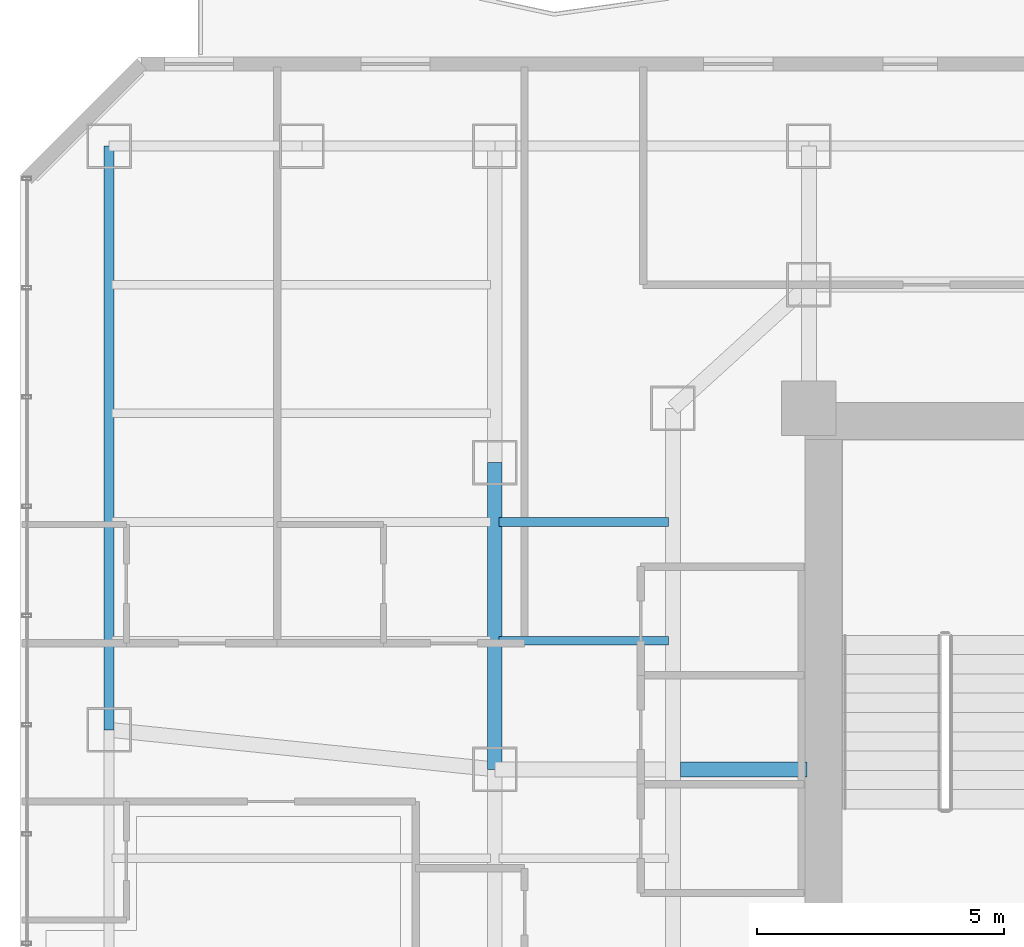
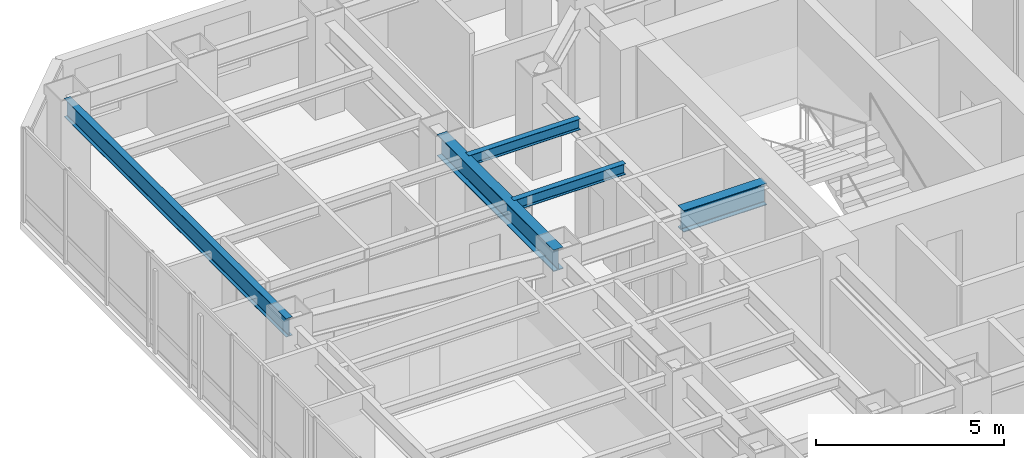
# One storey, part 22 of 36: 5 beams.
"""IFC4 building model written with IfcOpenShell, lengths in metres."""

from ifc_helpers import new_model, si_unit, direction, frame, origin, origin_2d, place, context, subcontext, project, spatial, i_section, extrude, material, material_profile, profile_set, type_object, element, save


model = new_model("IFC4")

# Units and contexts
model_context = context("Model", 3, precision=1e-05, world=origin(), true_north=direction((0.0, 1.0)))
body_context = subcontext(model_context, "Body", "Model", "MODEL_VIEW")
ifc_project = project(units=[si_unit("LENGTHUNIT", "METRE"), si_unit("AREAUNIT", "SQUARE_METRE"), si_unit("VOLUMEUNIT", "CUBIC_METRE"), si_unit("PLANEANGLEUNIT", "RADIAN"), si_unit("MASSUNIT", "GRAM", prefix="KILO")], contexts=[model_context])

# Site, building, storey
site_placement = place(None, origin())
site = spatial("IfcSite", under=ifc_project, at=site_placement, CompositionType="ELEMENT")
building_placement = place(site_placement, origin())
building = spatial("IfcBuilding", under=site, at=building_placement, Name="Hatsunagi Terrace Concourse", CompositionType="ELEMENT")
storey_placement = place(building_placement, frame((0.0, 0.0, 88.0)))
storey = spatial("IfcBuildingStorey", under=building, at=storey_placement, Name="L23", CompositionType="ELEMENT", Elevation=88.0)

# Beams
ifc_material_1 = material(Name="Steel SN490B", Category="steel")
ifc_material_profile_1 = material_profile(ifc_material_1, i_section(OverallWidth=0.300048828125, OverallDepth=0.699951171875, WebThickness=0.012939453125, FlangeThickness=0.02392578125, FilletRadius=0.02197265625, at=origin_2d()), Name="H-700x300x13x24")
ifc_profile_set_1 = profile_set([ifc_material_profile_1], Name="Steel SN490B")
beam_type_1 = type_object("IfcBeamType", Name="HotelFloorGirder_H_700x300", PredefinedType="BEAM", material=ifc_profile_set_1)
beam_1_placement = place(storey_placement, frame((19.199951171875, 36.0, 2.699951171875), z_axis=(0.0, 1.0, 0.0), x_axis=(-1.0, 0.0, 0.0)))
element("IfcBeam", 1, at=beam_1_placement, inside=storey, type_object=beam_type_1, Name="Beam G-04 BM-L23-NS-19-36", PredefinedType="BEAM", context=body_context, shape_type="SweptSolid", body=[
    extrude(i_section(OverallWidth=0.300048828125, OverallDepth=0.699951171875, WebThickness=0.012939453125, FlangeThickness=0.02392578125, FilletRadius=0.02197265625, at=origin_2d()), origin(), (0.0, 0.0, 1.0), 6.199951171875),
])
beam_2_placement = place(storey_placement, frame((22.949951171875, 36.0, 2.699951171875), z_axis=(1.0, 0.0, 0.0), x_axis=(0.0, 1.0, 0.0)))
element("IfcBeam", 2, at=beam_2_placement, inside=storey, type_object=beam_type_1, Name="Beam G-04 BM-L23-EW-4", PredefinedType="BEAM", context=body_context, shape_type="SweptSolid", body=[
    extrude(i_section(OverallWidth=0.300048828125, OverallDepth=0.699951171875, WebThickness=0.012939453125, FlangeThickness=0.02392578125, FilletRadius=0.02197265625, at=origin_2d()), origin(), (0.0, 0.0, 1.0), 2.56005859375),
])
ifc_material_2 = material(Name="Steel SN490B", Category="steel")
ifc_material_profile_2 = material_profile(ifc_material_2, i_section(OverallWidth=0.175048828125, OverallDepth=0.35009765625, WebThickness=0.007080078125, FlangeThickness=0.010986328125, FilletRadius=0.012939453125, at=origin_2d()), Name="H-350x175x7x11")
ifc_profile_set_2 = profile_set([ifc_material_profile_2], Name="Steel SN490B")
beam_type_2 = type_object("IfcBeamType", Name="HotelJoist_H_350x175", PredefinedType="JOIST", material=ifc_profile_set_2)
for number, where, z_axis, x_axis, name in (
    (3, (19.284912109375, 38.60009765625, 2.875), (1.0, 0.0, 0.0), (0.0, 1.0, 0.0), "Beam J-02 J-L23-W-19-386"),
    (4, (19.284912109375, 41.0, 2.875), (1.0, 0.0, 0.0), (0.0, 1.0, 0.0), "Beam J-02 J-L23-W-19-410"),
):
    element("IfcBeam", number, at=place(storey_placement, frame(where, z_axis=z_axis, x_axis=x_axis)), inside=storey, type_object=beam_type_2, Name=name, PredefinedType="JOIST", context=body_context, shape_type="SweptSolid", body=[
        extrude(i_section(OverallWidth=0.175048828125, OverallDepth=0.35009765625, WebThickness=0.007080078125, FlangeThickness=0.010986328125, FilletRadius=0.012939453125, at=origin_2d()), origin(), (0.0, 0.0, 1.0), 3.43017578125),
    ])
ifc_material_3 = material(Name="Steel SN490B", Category="steel")
ifc_material_profile_3 = material_profile(ifc_material_3, i_section(OverallWidth=0.199951171875, OverallDepth=0.60009765625, WebThickness=0.010986328125, FlangeThickness=0.01708984375, FilletRadius=0.01806640625, at=origin_2d()), Name="H-600x200x11x17")
ifc_profile_set_3 = profile_set([ifc_material_profile_3], Name="Steel SN490B")
beam_type_3 = type_object("IfcBeamType", Name="PerimeterSpandrel_H_600x200", PredefinedType="SPANDREL", material=ifc_profile_set_3)
beam_3_placement = place(storey_placement, frame((11.39990234375, 36.800048828125, 2.75), z_axis=(0.0, 1.0, 0.0), x_axis=(-1.0, 0.0, 0.0)))
element("IfcBeam", 5, at=beam_3_placement, inside=storey, type_object=beam_type_3, Name="Beam SP-01 BM-L23-NS-11-36", PredefinedType="SPANDREL", context=body_context, shape_type="SweptSolid", body=[
    extrude(i_section(OverallWidth=0.199951171875, OverallDepth=0.60009765625, WebThickness=0.010986328125, FlangeThickness=0.01708984375, FilletRadius=0.01806640625, at=origin_2d()), origin(), (0.0, 0.0, 1.0), 11.800048828125),
])

save(model, "model.ifc")
